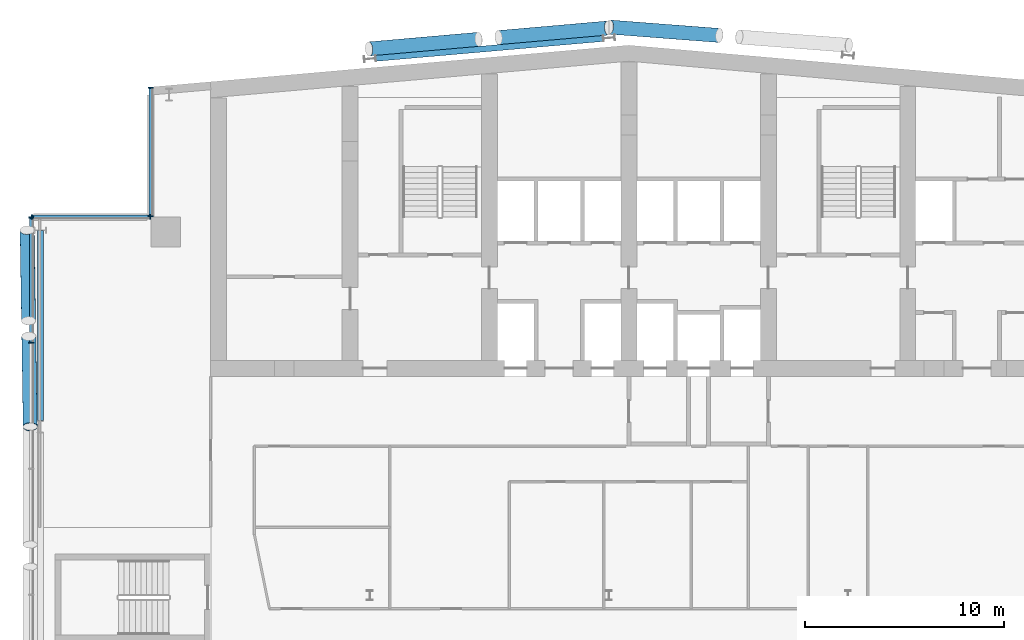
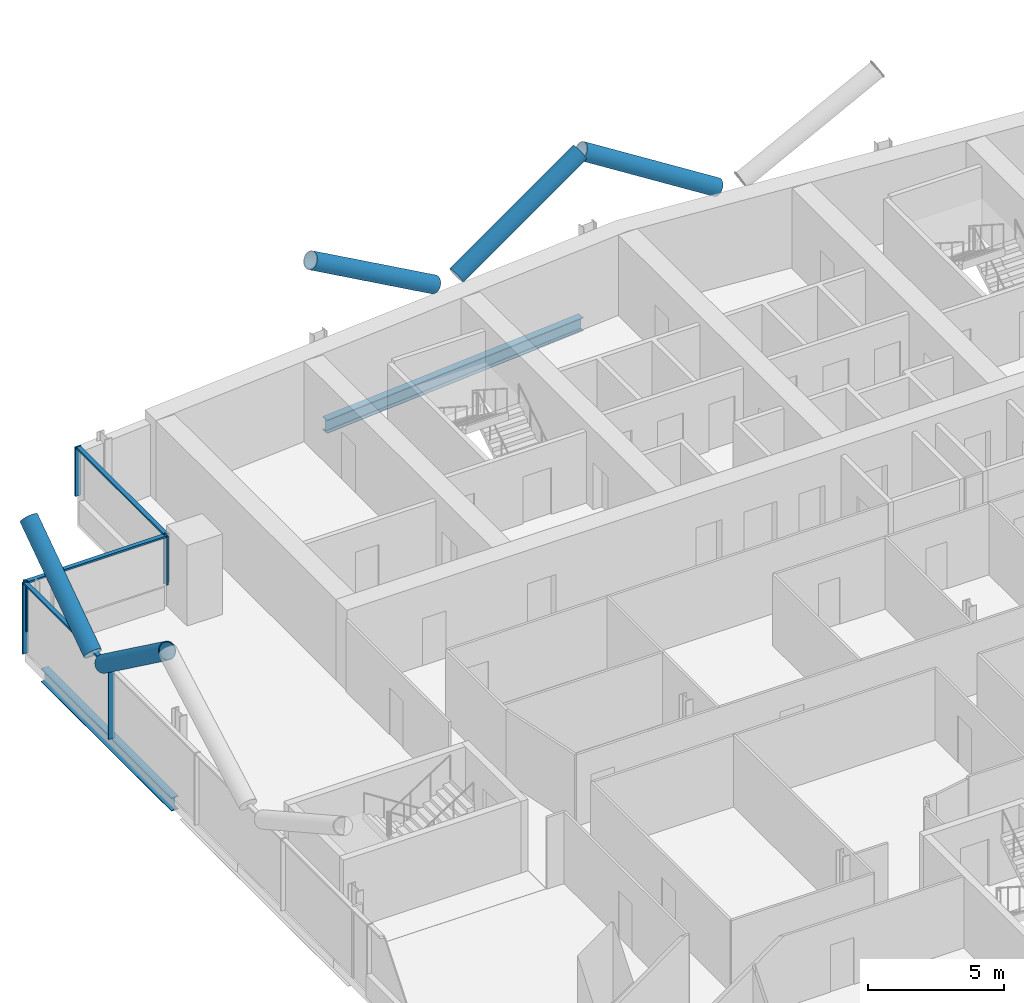
# One storey, part 9 of 27: 14 members, 2 beams, 3 elements without a shape of their own.
"""IFC4 building model written with IfcOpenShell, lengths in metres."""

from ifc_helpers import new_model, si_unit, direction, frame, origin, origin_2d, place, context, subcontext, project, spatial, rectangle, hollow_circle, i_section, extrude, material, material_profile, profile_set, type_object, element, aggregate, save


model = new_model("IFC4")

# Units and contexts
model_context = context("Model", 3, precision=1e-05, world=origin(), true_north=direction((0.0, 1.0)))
body_context = subcontext(model_context, "Body", "Model", "MODEL_VIEW")
ifc_project = project(units=[si_unit("LENGTHUNIT", "METRE"), si_unit("AREAUNIT", "SQUARE_METRE"), si_unit("VOLUMEUNIT", "CUBIC_METRE"), si_unit("PLANEANGLEUNIT", "RADIAN"), si_unit("MASSUNIT", "GRAM", prefix="KILO")], contexts=[model_context])

# Site, building, storey
site_placement = place(None, origin())
site = spatial("IfcSite", under=ifc_project, at=site_placement, CompositionType="ELEMENT")
building_placement = place(site_placement, origin())
building = spatial("IfcBuilding", under=site, at=building_placement, Name="Wharfspan Tower", CompositionType="ELEMENT")
storey_placement = place(building_placement, frame((0.0, 0.0, 195.100098)))
storey = spatial("IfcBuildingStorey", under=building, at=storey_placement, Name="L48", CompositionType="ELEMENT", Elevation=195.100098)

# Beams
ifc_material_1 = material(Name="Steel S355J2", Category="steel")
ifc_material_profile_1 = material_profile(ifc_material_1, i_section(OverallWidth=0.300049, OverallDepth=0.600098, WebThickness=0.015381, FlangeThickness=0.030029, FilletRadius=0.0271, at=origin_2d()))
ifc_profile_set_1 = profile_set([ifc_material_profile_1], Name="Steel S355J2")
beam_type = type_object("IfcBeamType", Name="Edge beam HEB 600", PredefinedType="SPANDREL", material=ifc_profile_set_1)
beam_1_placement = place(storey_placement, frame((35.705078, 50.961426, -0.700195), z_axis=(-0.996194, -0.087158, 0.0), x_axis=(0.087158, -0.996194, 0.0)))
element("IfcBeam", 1, at=beam_1_placement, inside=storey, type_object=beam_type, Name="Edge beam N1 L48 R.2 to R.1", PredefinedType="SPANDREL", context=body_context, shape_type="SweptSolid", body=[
    extrude(i_section(OverallWidth=0.300049, OverallDepth=0.600098, WebThickness=0.015381, FlangeThickness=0.030029, FilletRadius=0.0271, at=origin_2d()), origin(), (0.0, 0.0, 1.0), 11.453857),
])
beam_2_placement = place(storey_placement, frame((7.450439, 41.32666, -0.700195), z_axis=(-5.1e-05, -1.0, 0.0), x_axis=(1.0, -5.1e-05, 0.0)))
element("IfcBeam", 2, at=beam_2_placement, inside=storey, type_object=beam_type, Name="Edge beam W L48 PNRW-H.1 to PW.1", PredefinedType="SPANDREL", context=body_context, shape_type="SweptSolid", body=[
    extrude(i_section(OverallWidth=0.300049, OverallDepth=0.600098, WebThickness=0.015381, FlangeThickness=0.030029, FilletRadius=0.0271, at=origin_2d()), origin(), (0.0, 0.0, 1.0), 9.553955),
])

# Curtain wall, members
ifc_material_2 = material(Name="Aluminium 6063-T6", Category="aluminium")
curtain_wall_type = type_object("IfcCurtainWallType", Name="CURTAIN WALL PROW AND END", PredefinedType="NOTDEFINED", material=ifc_material_2)
curtain_wall_1_placement = place(storey_placement, origin())
curtain_wall_1 = element("IfcCurtainWall", 3, at=curtain_wall_1_placement, inside=storey, type_object=curtain_wall_type, Name="Curtain wall NRW-V", PredefinedType="NOTDEFINED")
ifc_material_profile_2 = material_profile(ifc_material_2, rectangle(XDim=0.23999, YDim=0.060059, at=origin_2d()))
ifc_profile_set_2 = profile_set([ifc_material_profile_2], Name="Aluminium 6063-T6")
member_type_1 = type_object("IfcMemberType", Name="MULLION PROW AND END 60x240", PredefinedType="MULLION", material=ifc_profile_set_2)
member_1_placement = place(storey_placement, frame((13.0, 48.494873, 1.0), z_axis=(0.0, 0.0, 1.0), x_axis=(1.0, 0.0, 0.0)))
member_1 = element("IfcMember", 4, at=member_1_placement, type_object=member_type_1, Name="Curtain wall NRW-V mullion 1", PredefinedType="MULLION", context=body_context, shape_type="SweptSolid", body=[
    extrude(rectangle(XDim=0.23999, YDim=0.060059, at=origin_2d()), origin(), (0.0, 0.0, 1.0), 2.199951),
])
member_2_placement = place(storey_placement, frame((13.0, 42.030029, 1.0), z_axis=(0.0, 0.0, 1.0), x_axis=(1.0, 0.0, 0.0)))
member_2 = element("IfcMember", 5, at=member_2_placement, type_object=member_type_1, Name="Curtain wall NRW-V mullion 2", PredefinedType="MULLION", context=body_context, shape_type="SweptSolid", body=[
    extrude(rectangle(XDim=0.23999, YDim=0.060059, at=origin_2d()), origin(), (0.0, 0.0, 1.0), 2.199951),
])

curtain_wall_2_placement = place(storey_placement, origin())
curtain_wall_2 = element("IfcCurtainWall", 6, at=curtain_wall_2_placement, inside=storey, type_object=curtain_wall_type, Name="Curtain wall NRW-H", PredefinedType="NOTDEFINED")
member_3_placement = place(storey_placement, frame((12.969971, 42.0, 1.0), z_axis=(0.0, 0.0, 1.0), x_axis=(0.0, -1.0, 0.0)))
member_3 = element("IfcMember", 7, at=member_3_placement, type_object=member_type_1, Name="Curtain wall NRW-H mullion 1", PredefinedType="MULLION", context=body_context, shape_type="SweptSolid", body=[
    extrude(rectangle(XDim=0.23999, YDim=0.060059, at=origin_2d()), origin(), (0.0, 0.0, 1.0), 2.199951),
])
member_4_placement = place(storey_placement, frame((7.030029, 42.0, 1.0), z_axis=(0.0, 0.0, 1.0), x_axis=(0.0, -1.0, 0.0)))
member_4 = element("IfcMember", 8, at=member_4_placement, type_object=member_type_1, Name="Curtain wall NRW-H mullion 2", PredefinedType="MULLION", context=body_context, shape_type="SweptSolid", body=[
    extrude(rectangle(XDim=0.23999, YDim=0.060059, at=origin_2d()), origin(), (0.0, 0.0, 1.0), 2.199951),
])

curtain_wall_3_placement = place(storey_placement, origin())
curtain_wall_3 = element("IfcCurtainWall", 9, at=curtain_wall_3_placement, inside=storey, type_object=curtain_wall_type, Name="Curtain wall W", PredefinedType="NOTDEFINED")
member_5_placement = place(storey_placement, frame((7.0, 41.969971, 0.0), z_axis=(0.0, 0.0, 1.0), x_axis=(1.0, 0.0, 0.0)))
member_5 = element("IfcMember", 10, at=member_5_placement, type_object=member_type_1, Name="Curtain wall W mullion 1", PredefinedType="MULLION", context=body_context, shape_type="SweptSolid", body=[
    extrude(rectangle(XDim=0.23999, YDim=0.060059, at=origin_2d()), origin(), (0.0, 0.0, 1.0), 3.199951),
])
member_6_placement = place(storey_placement, frame((7.0, 35.679932, 0.0), z_axis=(0.0, 0.0, 1.0), x_axis=(1.0, 0.0, 0.0)))
member_6 = element("IfcMember", 11, at=member_6_placement, type_object=member_type_1, Name="Curtain wall W mullion 2", PredefinedType="MULLION", context=body_context, shape_type="SweptSolid", body=[
    extrude(rectangle(XDim=0.23999, YDim=0.060059, at=origin_2d()), origin(), (0.0, 0.0, 1.0), 3.199951),
])

# Members
ifc_material_3 = material(Name="Steel S460NH", Category="steel")
ifc_material_profile_3 = material_profile(ifc_material_3, hollow_circle(Radius=0.355469, WallThickness=0.035889, at=origin_2d()))
ifc_profile_set_3 = profile_set([ifc_material_profile_3], Name="Steel S460NH")
member_type_2 = type_object("IfcMemberType", Name="Mega brace CHS 711x36", PredefinedType="BRACE", material=ifc_profile_set_3)
for number, where, z_axis, x_axis, name in (
    (12, (6.872803, 36.009033, 3.185059), (0.01285, -0.807711, 0.589439), (0.999876, 0.015905, -3e-06), "Mega brace W4 L48 part 2"),
    (13, (6.860352, 36.790771, 3.185059), (-0.01285, 0.807696, 0.589459), (-0.999875, -0.015906, -2e-06), "Mega brace W4 L48 part 4"),
):
    element("IfcMember", number, at=place(storey_placement, frame(where, z_axis=z_axis, x_axis=x_axis)), inside=storey, type_object=member_type_2, Name=name, PredefinedType="BRACE", context=body_context, shape_type="SweptSolid", body=[
        extrude(hollow_circle(Radius=0.355469, WallThickness=0.035889, at=origin_2d()), origin(), (0.0, 0.0, 1.0), 5.623779),
    ])
member_7_placement = place(storey_placement, frame((30.461426, 51.00708, 3.203125), z_axis=(0.855094, 0.074807, 0.513049), x_axis=(-0.087152, 0.996192, 2e-06)))
element("IfcMember", 14, at=member_7_placement, inside=storey, type_object=member_type_2, Name="Mega brace N7 L48 part 2", PredefinedType="BRACE", context=body_context, shape_type="SweptSolid", body=[
    extrude(hollow_circle(Radius=0.355469, WallThickness=0.035889, at=origin_2d()), origin(), (0.0, 0.0, 1.0), 6.426025),
])
member_8_placement = place(storey_placement, frame((29.450928, 50.918701, 3.203125), z_axis=(-0.855083, -0.074809, 0.513065), x_axis=(0.087154, -0.996196, -1e-06)))
element("IfcMember", 15, at=member_8_placement, inside=storey, type_object=member_type_2, Name="Mega brace N7 L48 part 4", PredefinedType="BRACE", context=body_context, shape_type="SweptSolid", body=[
    extrude(hollow_circle(Radius=0.355469, WallThickness=0.035889, at=origin_2d()), origin(), (0.0, 0.0, 1.0), 6.425781),
])
member_9_placement = place(storey_placement, frame((41.533447, 51.114502, 3.202881), z_axis=(-0.855596, 0.065362, 0.513502), x_axis=(-0.076171, -0.997095, 1e-06)))
element("IfcMember", 16, at=member_9_placement, inside=storey, type_object=member_type_2, Name="Mega brace N8 L48 part 4", PredefinedType="BRACE", context=body_context, shape_type="SweptSolid", body=[
    extrude(hollow_circle(Radius=0.355469, WallThickness=0.035889, at=origin_2d()), origin(), (0.0, 0.0, 1.0), 6.420898),
])

# Member
ifc_material_profile_4 = material_profile(ifc_material_2, rectangle(XDim=0.179932, YDim=0.080078, at=origin_2d()))
ifc_profile_set_4 = profile_set([ifc_material_profile_4], Name="Aluminium 6063-T6")
member_type_3 = type_object("IfcMemberType", Name="TRANSOM PROW AND END 80x180", PredefinedType="USERDEFINED", material=ifc_profile_set_4)
member_10_placement = place(storey_placement, frame((13.0, 48.464844, 3.159912), z_axis=(0.0, -1.0, 0.0), x_axis=(1.0, 0.0, 0.0)))
member_10 = element("IfcMember", 17, at=member_10_placement, type_object=member_type_3, Name="Curtain wall NRW-V transom 1", ObjectType="TRANSOM", PredefinedType="USERDEFINED", context=body_context, shape_type="SweptSolid", body=[
    extrude(rectangle(XDim=0.179932, YDim=0.080078, at=origin_2d()), origin(), (0.0, 0.0, 1.0), 6.404785),
])

aggregate(curtain_wall_1, [member_1, member_2, member_10])

member_11_placement = place(storey_placement, frame((12.939941, 42.0, 3.159912), z_axis=(-1.0, 0.0, 0.0), x_axis=(0.0, -1.0, 0.0)))
member_11 = element("IfcMember", 18, at=member_11_placement, type_object=member_type_3, Name="Curtain wall NRW-H transom 1", ObjectType="TRANSOM", PredefinedType="USERDEFINED", context=body_context, shape_type="SweptSolid", body=[
    extrude(rectangle(XDim=0.179932, YDim=0.080078, at=origin_2d()), origin(), (0.0, 0.0, 1.0), 5.879883),
])

aggregate(curtain_wall_2, [member_3, member_4, member_11])

member_12_placement = place(storey_placement, frame((7.0, 41.939941, 3.159912), z_axis=(0.0, -1.0, 0.0), x_axis=(1.0, 0.0, 0.0)))
member_12 = element("IfcMember", 19, at=member_12_placement, type_object=member_type_3, Name="Curtain wall W transom 1", ObjectType="TRANSOM", PredefinedType="USERDEFINED", context=body_context, shape_type="SweptSolid", body=[
    extrude(rectangle(XDim=0.179932, YDim=0.080078, at=origin_2d()), origin(), (0.0, 0.0, 1.0), 6.22998),
])

aggregate(curtain_wall_3, [member_5, member_6, member_12])

save(model, "model.ifc")
